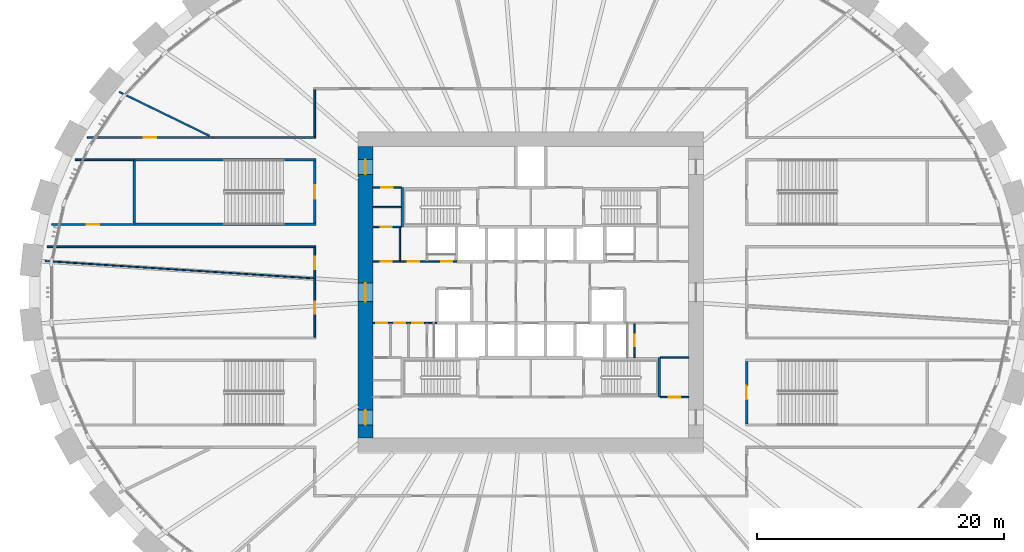
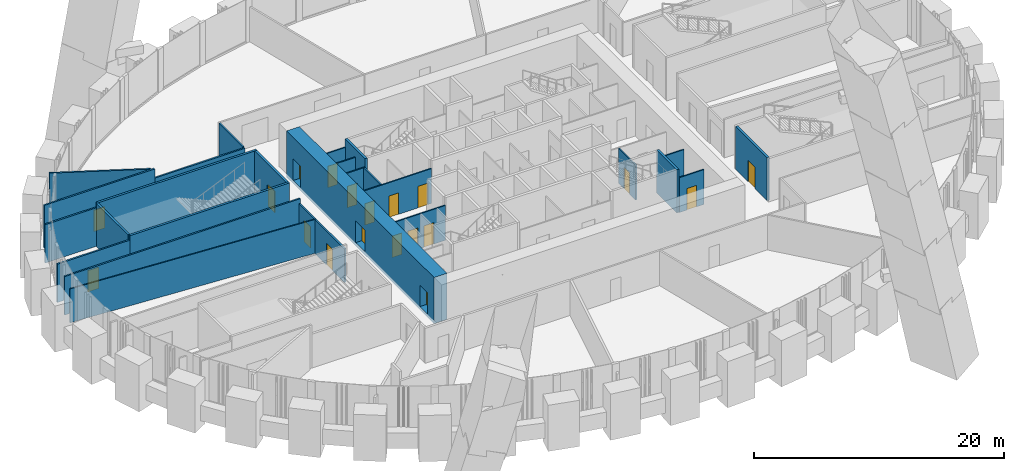
# One storey, part 9 of 23: 27 walls, 19 doors, 19 openings.
"""IFC4 building model written with IfcOpenShell, lengths in metres."""

from ifc_helpers import new_model, si_unit, direction, frame, frame_2d, origin, place, context, subcontext, project, spatial, rectangle, extrude, source, transform, mapped, material, layer, layer_set, type_object, element, fill, save


model = new_model("IFC4")

# Units and contexts
model_context = context("Model", 3, precision=1e-05, world=origin(), true_north=direction((0.0, 1.0)))
body_context = subcontext(model_context, "Body", "Model", "MODEL_VIEW")
ifc_project = project(units=[si_unit("LENGTHUNIT", "METRE"), si_unit("AREAUNIT", "SQUARE_METRE"), si_unit("VOLUMEUNIT", "CUBIC_METRE"), si_unit("PLANEANGLEUNIT", "RADIAN"), si_unit("MASSUNIT", "GRAM", prefix="KILO")], contexts=[model_context])

# Site, building, storey
site_placement = place(None, origin())
site = spatial("IfcSite", under=ifc_project, at=site_placement, CompositionType="ELEMENT")
building_placement = place(site_placement, origin())
building = spatial("IfcBuilding", under=site, at=building_placement, Name="Embergate Tower", CompositionType="ELEMENT")
storey_placement = place(building_placement, frame((0.0, 0.0, 29.0)))
storey = spatial("IfcBuildingStorey", under=building, at=storey_placement, Name="L03", CompositionType="ELEMENT", Elevation=29.0)

# Wall, openings, doors
ifc_material_1 = material(Name="Concrete C80", Category="concrete")
ifc_layer_1 = layer(ifc_material_1, 1.199951171875)
ifc_layer_set_1 = layer_set([ifc_layer_1], Name="Concrete C80")
wall_type_1 = type_object("IfcWallType", Name="Core outer wall C80 1200", PredefinedType="SHEAR", material=ifc_layer_set_1)
shared_shape_1 = source(origin(), body_context, "Body", "SweptSolid", [
    extrude(rectangle(XDim=23.60009765625, YDim=1.199951171875, at=frame_2d((11.800048828125, 0.0))), origin(), (0.0, 0.0, 1.0), 4.5),
])
wall_1_placement = place(storey_placement, frame((-13.39990234375, -11.800048828125, -0.300048828125), z_axis=(0.0, 0.0, 1.0), x_axis=(0.0, 1.0, 0.0)))
wall_1 = element("IfcWall", 1, at=wall_1_placement, inside=storey, type_object=wall_type_1, Name="CW-L03-W", PredefinedType="SHEAR", context=body_context, shape_type="MappedRepresentation", body=[
    mapped(shared_shape_1, transform((0.0, 0.0, 0.0))),
])
shared_shape_2 = source(origin(), body_context, "Body", "SweptSolid", [
    extrude(rectangle(XDim=1.199951171875, YDim=2.10009765625, at=frame_2d((0.60009765625, 1.050048828125))), frame((0.0, 0.60986328125, 0.0), z_axis=(0.0, -1.0, 0.0), x_axis=(1.0, 0.0, 0.0)), (0.0, 0.0, 1.0), 1.219970703125),
])
opening_1_placement = place(wall_1_placement, frame((21.35009765625, 0.0, 0.300048828125)))
opening_1 = element("IfcOpeningElement", 2, at=opening_1_placement, cuts=wall_1, Name="Opening IF-1", PredefinedType="OPENING", context=body_context, shape_type="MappedRepresentation", body=[
    mapped(shared_shape_2, transform((0.0, 0.0, 0.0))),
])
opening_2_placement = place(wall_1_placement, frame((1.050048828125, 0.0, 0.300048828125)))
opening_2 = element("IfcOpeningElement", 3, at=opening_2_placement, cuts=wall_1, Name="Opening IF-1", PredefinedType="OPENING", context=body_context, shape_type="MappedRepresentation", body=[
    mapped(shared_shape_2, transform((0.0, 0.0, 0.0))),
])
shared_shape_3 = source(origin(), body_context, "Body", "SweptSolid", [
    extrude(rectangle(XDim=1.5, YDim=2.10009765625, at=frame_2d((0.75, 1.050048828125))), frame((0.0, 0.60986328125, 0.0), z_axis=(0.0, -1.0, 0.0), x_axis=(1.0, 0.0, 0.0)), (0.0, 0.0, 1.0), 1.219970703125),
])
opening_3_placement = place(wall_1_placement, frame((11.050048828125, 0.0, 0.300048828125)))
opening_3 = element("IfcOpeningElement", 4, at=opening_3_placement, cuts=wall_1, Name="Opening IF-3", PredefinedType="OPENING", context=body_context, shape_type="MappedRepresentation", body=[
    mapped(shared_shape_3, transform((0.0, 0.0, 0.0))),
])
ifc_material_2 = material(Name="Escape fire door 1200")
door_type_1 = type_object("IfcDoorType", Name="Escape fire door 1200", OperationType="SINGLE_SWING_LEFT", PredefinedType="DOOR", material=ifc_material_2)
shared_shape_4 = source(origin(), body_context, "Body", "SweptSolid", [
    extrude(rectangle(XDim=1.199951171875, YDim=2.10009765625, at=frame_2d((0.60009765625, 1.050048828125))), frame((0.0, 0.02490234375, 0.0), z_axis=(0.0, -1.0, 0.0), x_axis=(1.0, 0.0, 0.0)), (0.0, 0.0, 1.0), 0.050048828125),
])
door_1_placement = place(opening_1_placement, origin())
door_1 = element("IfcDoor", 5, at=door_1_placement, inside=storey, type_object=door_type_1, Name="IF-1 door", OperationType="SINGLE_SWING_RIGHT", OverallHeight=2.10009765625, OverallWidth=1.199951171875, PredefinedType="DOOR", context=body_context, shape_type="MappedRepresentation", body=[
    mapped(shared_shape_4, transform((0.0, 0.0, 0.0))),
])
fill(opening_1, door_1)
door_2_placement = place(opening_2_placement, origin())
door_2 = element("IfcDoor", 6, at=door_2_placement, inside=storey, type_object=door_type_1, Name="IF-1 door", OperationType="SINGLE_SWING_LEFT", OverallHeight=2.10009765625, OverallWidth=1.199951171875, PredefinedType="DOOR", context=body_context, shape_type="MappedRepresentation", body=[
    mapped(shared_shape_4, transform((0.0, 0.0, 0.0))),
])
fill(opening_2, door_2)
ifc_material_3 = material(Name="Lobby fire door pair 1500")
door_type_2 = type_object("IfcDoorType", Name="Lobby fire door pair 1500", OperationType="DOUBLE_DOOR_SINGLE_SWING", PredefinedType="DOOR", material=ifc_material_3)
shared_shape_5 = source(origin(), body_context, "Body", "SweptSolid", [
    extrude(rectangle(XDim=1.5, YDim=2.10009765625, at=frame_2d((0.75, 1.050048828125))), frame((0.0, 0.02490234375, 0.0), z_axis=(0.0, -1.0, 0.0), x_axis=(1.0, 0.0, 0.0)), (0.0, 0.0, 1.0), 0.050048828125),
])
door_3_placement = place(opening_3_placement, origin())
door_3 = element("IfcDoor", 7, at=door_3_placement, inside=storey, type_object=door_type_2, Name="IF-3 door", OperationType="DOUBLE_DOOR_SINGLE_SWING", OverallHeight=2.10009765625, OverallWidth=1.5, PredefinedType="DOOR", context=body_context, shape_type="MappedRepresentation", body=[
    mapped(shared_shape_5, transform((0.0, 0.0, 0.0))),
])
fill(opening_3, door_3)

ifc_material_4 = material(Name="Core partition blockwork 120")
ifc_layer_2 = layer(ifc_material_4, 0.1201171875)
ifc_layer_set_2 = layer_set([ifc_layer_2], Name="Core partition blockwork 120")
wall_type_2 = type_object("IfcWallType", Name="Core partition blockwork 120", PredefinedType="PARTITIONING", material=ifc_layer_set_2)
shared_shape_6 = source(origin(), body_context, "Body", "SweptSolid", [
    extrude(rectangle(XDim=6.800048828125, YDim=0.1201171875, at=frame_2d((3.39990234375, 0.0))), origin(), (0.0, 0.0, 1.0), 3.39990234375),
])
wall_2_placement = place(storey_placement, frame((-12.800048828125, 2.5, 0.0), z_axis=(0.0, 0.0, 1.0), x_axis=(1.0, 0.0, 0.0)))
wall_2 = element("IfcWall", 8, at=wall_2_placement, inside=storey, type_object=wall_type_2, Name="IP-3 wall", PredefinedType="PARTITIONING", context=body_context, shape_type="MappedRepresentation", body=[
    mapped(shared_shape_6, transform((0.0, 0.0, 0.0))),
])
shared_shape_7 = source(origin(), body_context, "Body", "SweptSolid", [
    extrude(rectangle(XDim=0.89990234375, YDim=2.10009765625, at=frame_2d((0.449951171875, 1.050048828125))), frame((0.0, 0.070068359375, 0.0), z_axis=(0.0, -1.0, 0.0), x_axis=(1.0, 0.0, 0.0)), (0.0, 0.0, 1.0), 0.14013671875),
])
opening_4_placement = place(wall_2_placement, frame((5.550048828125, 0.0, 0.0)))
opening_4 = element("IfcOpeningElement", 9, at=opening_4_placement, cuts=wall_2, Name="Opening ID-1", PredefinedType="OPENING", context=body_context, shape_type="MappedRepresentation", body=[
    mapped(shared_shape_7, transform((0.0, 0.0, 0.0))),
])
opening_5_placement = place(wall_2_placement, frame((0.64990234375, 0.0, 0.0)))
opening_5 = element("IfcOpeningElement", 10, at=opening_5_placement, cuts=wall_2, Name="Opening ID-1", PredefinedType="OPENING", context=body_context, shape_type="MappedRepresentation", body=[
    mapped(shared_shape_7, transform((0.0, 0.0, 0.0))),
])
opening_6_placement = place(wall_2_placement, frame((2.85009765625, 0.0, 0.0)))
opening_6 = element("IfcOpeningElement", 11, at=opening_6_placement, cuts=wall_2, Name="Opening ID-1", PredefinedType="OPENING", context=body_context, shape_type="MappedRepresentation", body=[
    mapped(shared_shape_7, transform((0.0, 0.0, 0.0))),
])
ifc_material_5 = material(Name="Interior door 900")
door_type_3 = type_object("IfcDoorType", Name="Interior door 900", OperationType="SINGLE_SWING_LEFT", PredefinedType="DOOR", material=ifc_material_5)
shared_shape_8 = source(origin(), body_context, "Body", "SweptSolid", [
    extrude(rectangle(XDim=0.89990234375, YDim=2.10009765625, at=frame_2d((0.449951171875, 1.050048828125))), frame((0.0, 0.02490234375, 0.0), z_axis=(0.0, -1.0, 0.0), x_axis=(1.0, 0.0, 0.0)), (0.0, 0.0, 1.0), 0.050048828125),
])
door_4_placement = place(opening_4_placement, origin())
door_4 = element("IfcDoor", 12, at=door_4_placement, inside=storey, type_object=door_type_3, Name="ID-1 door", OperationType="SINGLE_SWING_LEFT", OverallHeight=2.10009765625, OverallWidth=0.89990234375, PredefinedType="DOOR", context=body_context, shape_type="MappedRepresentation", body=[
    mapped(shared_shape_8, transform((0.0, 0.0, 0.0))),
])
fill(opening_4, door_4)
door_5_placement = place(opening_5_placement, origin())
door_5 = element("IfcDoor", 13, at=door_5_placement, inside=storey, type_object=door_type_3, Name="ID-1 door", OperationType="SINGLE_SWING_RIGHT", OverallHeight=2.10009765625, OverallWidth=0.89990234375, PredefinedType="DOOR", context=body_context, shape_type="MappedRepresentation", body=[
    mapped(shared_shape_8, transform((0.0, 0.0, 0.0))),
])
fill(opening_5, door_5)
door_6_placement = place(opening_6_placement, origin())
door_6 = element("IfcDoor", 14, at=door_6_placement, inside=storey, type_object=door_type_3, Name="ID-1 door", OperationType="SINGLE_SWING_LEFT", OverallHeight=2.10009765625, OverallWidth=0.89990234375, PredefinedType="DOOR", context=body_context, shape_type="MappedRepresentation", body=[
    mapped(shared_shape_8, transform((0.0, 0.0, 0.0))),
])
fill(opening_6, door_6)

# Wall, opening, door
shared_shape_9 = source(origin(), body_context, "Body", "SweptSolid", [
    extrude(rectangle(XDim=2.739990234375, YDim=0.1201171875, at=frame_2d((1.3701171875, 0.0))), origin(), (0.0, 0.0, 1.0), 3.39990234375),
])
wall_3_placement = place(storey_placement, frame((8.39990234375, -5.300048828125, 0.0), z_axis=(0.0, 0.0, 1.0), x_axis=(0.0, 1.0, 0.0)))
wall_3 = element("IfcWall", 15, at=wall_3_placement, inside=storey, type_object=wall_type_2, Name="IP-3 wall", PredefinedType="PARTITIONING", context=body_context, shape_type="MappedRepresentation", body=[
    mapped(shared_shape_9, transform((0.0, 0.0, 0.0))),
])
opening_7_placement = place(wall_3_placement, frame((0.949951171875, 0.0, 0.0)))
opening_7 = element("IfcOpeningElement", 16, at=opening_7_placement, cuts=wall_3, Name="Opening ID-1", PredefinedType="OPENING", context=body_context, shape_type="MappedRepresentation", body=[
    mapped(shared_shape_7, transform((0.0, 0.0, 0.0))),
])
door_7_placement = place(opening_7_placement, origin())
door_7 = element("IfcDoor", 17, at=door_7_placement, inside=storey, type_object=door_type_3, Name="ID-1 door", OperationType="SINGLE_SWING_RIGHT", OverallHeight=2.10009765625, OverallWidth=0.89990234375, PredefinedType="DOOR", context=body_context, shape_type="MappedRepresentation", body=[
    mapped(shared_shape_8, transform((0.0, 0.0, 0.0))),
])
fill(opening_7, door_7)

# Wall, openings, doors
shared_shape_10 = source(origin(), body_context, "Body", "SweptSolid", [
    extrude(rectangle(XDim=5.199951171875, YDim=0.1201171875, at=frame_2d((2.60009765625, 0.0))), origin(), (0.0, 0.0, 1.0), 3.39990234375),
])
wall_4_placement = place(storey_placement, frame((-7.60009765625, -2.5, 0.0), z_axis=(0.0, 0.0, 1.0), x_axis=(-1.0, 0.0, 0.0)))
wall_4 = element("IfcWall", 18, at=wall_4_placement, inside=storey, type_object=wall_type_2, Name="IP-3 wall", PredefinedType="PARTITIONING", context=body_context, shape_type="MappedRepresentation", body=[
    mapped(shared_shape_10, transform((0.0, 0.0, 0.0))),
])
opening_8_placement = place(wall_4_placement, frame((4.02392578125, 0.0, 0.0)))
opening_8 = element("IfcOpeningElement", 19, at=opening_8_placement, cuts=wall_4, Name="Opening ID-1", PredefinedType="OPENING", context=body_context, shape_type="MappedRepresentation", body=[
    mapped(shared_shape_7, transform((0.0, 0.0, 0.0))),
])
opening_9_placement = place(wall_4_placement, frame((2.572021484375, 0.0, 0.0)))
opening_9 = element("IfcOpeningElement", 20, at=opening_9_placement, cuts=wall_4, Name="Opening ID-1", PredefinedType="OPENING", context=body_context, shape_type="MappedRepresentation", body=[
    mapped(shared_shape_7, transform((0.0, 0.0, 0.0))),
])
opening_10_placement = place(wall_4_placement, frame((1.097900390625, 0.0, 0.0)))
opening_10 = element("IfcOpeningElement", 21, at=opening_10_placement, cuts=wall_4, Name="Opening ID-1", PredefinedType="OPENING", context=body_context, shape_type="MappedRepresentation", body=[
    mapped(shared_shape_7, transform((0.0, 0.0, 0.0))),
])
door_8_placement = place(opening_8_placement, origin())
door_8 = element("IfcDoor", 22, at=door_8_placement, inside=storey, type_object=door_type_3, Name="ID-1 door", OperationType="SINGLE_SWING_LEFT", OverallHeight=2.10009765625, OverallWidth=0.89990234375, PredefinedType="DOOR", context=body_context, shape_type="MappedRepresentation", body=[
    mapped(shared_shape_8, transform((0.0, 0.0, 0.0))),
])
fill(opening_8, door_8)
door_9_placement = place(opening_9_placement, origin())
door_9 = element("IfcDoor", 23, at=door_9_placement, inside=storey, type_object=door_type_3, Name="ID-1 door", OperationType="SINGLE_SWING_RIGHT", OverallHeight=2.10009765625, OverallWidth=0.89990234375, PredefinedType="DOOR", context=body_context, shape_type="MappedRepresentation", body=[
    mapped(shared_shape_8, transform((0.0, 0.0, 0.0))),
])
fill(opening_9, door_9)
door_10_placement = place(opening_10_placement, origin())
door_10 = element("IfcDoor", 24, at=door_10_placement, inside=storey, type_object=door_type_3, Name="ID-1 door", OperationType="SINGLE_SWING_RIGHT", OverallHeight=2.10009765625, OverallWidth=0.89990234375, PredefinedType="DOOR", context=body_context, shape_type="MappedRepresentation", body=[
    mapped(shared_shape_8, transform((0.0, 0.0, 0.0))),
])
fill(opening_10, door_10)

# Walls
ifc_material_6 = material(Name="Concrete C50", Category="concrete")
ifc_layer_3 = layer(ifc_material_6, 0.199951171875)
ifc_layer_set_3 = layer_set([ifc_layer_3], Name="Concrete C50")
wall_type_3 = type_object("IfcWallType", Name="Stair enclosure wall reinforced concrete 250", PredefinedType="SHEAR", material=ifc_layer_set_3)
shared_shape_11 = source(origin(), body_context, "Body", "SweptSolid", [
    extrude(rectangle(XDim=3.199951171875, YDim=0.199951171875, at=frame_2d((1.60009765625, 0.0))), origin(), (0.0, 0.0, 1.0), 4.199951171875),
])
for number, where, z_axis, x_axis, name in (
    (25, (-10.39990234375, 8.5, 0.0), (0.0, 0.0, 1.0), (0.0, -1.0, 0.0), "SE-1 wall"),
    (26, (10.39990234375, -8.5, 0.0), (0.0, 0.0, 1.0), (0.0, 1.0, 0.0), "SE-1 wall"),
):
    element("IfcWall", number, at=place(storey_placement, frame(where, z_axis=z_axis, x_axis=x_axis)), inside=storey, type_object=wall_type_3, Name=name, PredefinedType="SHEAR", context=body_context, shape_type="MappedRepresentation", body=[
        mapped(shared_shape_11, transform((0.0, 0.0, 0.0))),
    ])

# Wall, opening, door
shared_shape_12 = source(origin(), body_context, "Body", "SweptSolid", [
    extrude(rectangle(XDim=2.300048828125, YDim=0.1201171875, at=frame_2d((1.14990234375, 0.0))), origin(), (0.0, 0.0, 1.0), 3.39990234375),
])
wall_5_placement = place(storey_placement, frame((-12.800048828125, 8.5, 0.0), z_axis=(0.0, 0.0, 1.0), x_axis=(1.0, 0.0, 0.0)))
wall_5 = element("IfcWall", 27, at=wall_5_placement, inside=storey, type_object=wall_type_2, Name="IP-3 wall", PredefinedType="PARTITIONING", context=body_context, shape_type="MappedRepresentation", body=[
    mapped(shared_shape_12, transform((0.0, 0.0, 0.0))),
])
opening_11_placement = place(wall_5_placement, frame((0.699951171875, 0.0, 0.0)))
opening_11 = element("IfcOpeningElement", 28, at=opening_11_placement, cuts=wall_5, Name="Opening ID-1", PredefinedType="OPENING", context=body_context, shape_type="MappedRepresentation", body=[
    mapped(shared_shape_7, transform((0.0, 0.0, 0.0))),
])
door_11_placement = place(opening_11_placement, origin())
door_11 = element("IfcDoor", 29, at=door_11_placement, inside=storey, type_object=door_type_3, Name="ID-1 door", OperationType="SINGLE_SWING_RIGHT", OverallHeight=2.10009765625, OverallWidth=0.89990234375, PredefinedType="DOOR", context=body_context, shape_type="MappedRepresentation", body=[
    mapped(shared_shape_8, transform((0.0, 0.0, 0.0))),
])
fill(opening_11, door_11)

wall_6_placement = place(storey_placement, frame((12.800048828125, -8.5, 0.0), z_axis=(0.0, 0.0, 1.0), x_axis=(-1.0, 0.0, 0.0)))
wall_6 = element("IfcWall", 30, at=wall_6_placement, inside=storey, type_object=wall_type_2, Name="IP-3 wall", PredefinedType="PARTITIONING", context=body_context, shape_type="MappedRepresentation", body=[
    mapped(shared_shape_12, transform((0.0, 0.0, 0.0))),
])
opening_12_placement = place(wall_6_placement, frame((0.699951171875, 0.0, 0.0)))
opening_12 = element("IfcOpeningElement", 31, at=opening_12_placement, cuts=wall_6, Name="Opening ID-1", PredefinedType="OPENING", context=body_context, shape_type="MappedRepresentation", body=[
    mapped(shared_shape_7, transform((0.0, 0.0, 0.0))),
])
door_12_placement = place(opening_12_placement, origin())
door_12 = element("IfcDoor", 32, at=door_12_placement, inside=storey, type_object=door_type_3, Name="ID-1 door", OperationType="SINGLE_SWING_RIGHT", OverallHeight=2.10009765625, OverallWidth=0.89990234375, PredefinedType="DOOR", context=body_context, shape_type="MappedRepresentation", body=[
    mapped(shared_shape_8, transform((0.0, 0.0, 0.0))),
])
fill(opening_12, door_12)

wall_7_placement = place(storey_placement, frame((-10.5, 5.300048828125, 0.0), z_axis=(0.0, 0.0, 1.0), x_axis=(-1.0, 0.0, 0.0)))
wall_7 = element("IfcWall", 33, at=wall_7_placement, inside=storey, type_object=wall_type_2, Name="IP-3 wall", PredefinedType="PARTITIONING", context=body_context, shape_type="MappedRepresentation", body=[
    mapped(shared_shape_12, transform((0.0, 0.0, 0.0))),
])
opening_13_placement = place(wall_7_placement, frame((0.75, 0.0, 0.0)))
opening_13 = element("IfcOpeningElement", 34, at=opening_13_placement, cuts=wall_7, Name="Opening ID-1", PredefinedType="OPENING", context=body_context, shape_type="MappedRepresentation", body=[
    mapped(shared_shape_7, transform((0.0, 0.0, 0.0))),
])
door_13_placement = place(opening_13_placement, origin())
door_13 = element("IfcDoor", 35, at=door_13_placement, inside=storey, type_object=door_type_3, Name="ID-1 door", OperationType="SINGLE_SWING_RIGHT", OverallHeight=2.10009765625, OverallWidth=0.89990234375, PredefinedType="DOOR", context=body_context, shape_type="MappedRepresentation", body=[
    mapped(shared_shape_8, transform((0.0, 0.0, 0.0))),
])
fill(opening_13, door_13)

# Walls
for number, where, z_axis, x_axis, name in (
    (36, (10.5, -5.300048828125, 0.0), (0.0, 0.0, 1.0), (1.0, 0.0, 0.0), "IP-3 wall"),
    (37, (-10.5, 6.89990234375, 0.0), (0.0, 0.0, 1.0), (-1.0, 0.0, 0.0), "IP-3 wall"),
):
    element("IfcWall", number, at=place(storey_placement, frame(where, z_axis=z_axis, x_axis=x_axis)), inside=storey, type_object=wall_type_2, Name=name, PredefinedType="PARTITIONING", context=body_context, shape_type="MappedRepresentation", body=[
        mapped(shared_shape_12, transform((0.0, 0.0, 0.0))),
    ])
shared_shape_13 = source(origin(), body_context, "Body", "SweptSolid", [
    extrude(rectangle(XDim=2.679931640625, YDim=0.1201171875, at=frame_2d((1.33984375, 0.0))), origin(), (0.0, 0.0, 1.0), 3.39990234375),
])
wall_8_placement = place(storey_placement, frame((-10.60009765625, 2.56005859375, 0.0), z_axis=(0.0, 0.0, 1.0), x_axis=(0.0, 1.0, 0.0)))
element("IfcWall", 38, at=wall_8_placement, inside=storey, type_object=wall_type_2, Name="IP-3 wall", PredefinedType="PARTITIONING", context=body_context, shape_type="MappedRepresentation", body=[
    mapped(shared_shape_13, transform((0.0, 0.0, 0.0))),
])
ifc_material_7 = material(Name="Plasterboard on steel stud", Category="steel")
ifc_layer_4 = layer(ifc_material_7, 0.14990234375)
ifc_layer_set_4 = layer_set([ifc_layer_4], Name="Plasterboard on steel stud")
wall_type_4 = type_object("IfcWallType", Name="Partition wall 150 board", PredefinedType="PARTITIONING", material=ifc_layer_set_4)
shared_shape_14 = source(origin(), body_context, "Body", "SweptSolid", [
    extrude(rectangle(XDim=21.764892578125, YDim=0.14990234375, at=frame_2d((10.88232421875, 0.0))), origin(), (0.0, 0.0, 1.0), 3.75),
])
wall_9_placement = place(storey_placement, frame((-39.18994140625, 3.699951171875, 0.0), z_axis=(0.0, 0.0, 1.0), x_axis=(1.0, 0.0, 0.0)))
element("IfcWall", 39, at=wall_9_placement, inside=storey, type_object=wall_type_4, Name="Partition 001", PredefinedType="PARTITIONING", context=body_context, shape_type="MappedRepresentation", body=[
    mapped(shared_shape_14, transform((0.0, 0.0, 0.0))),
])

# Wall, opening, door
shared_shape_15 = source(origin(), body_context, "Body", "SweptSolid", [
    extrude(rectangle(XDim=6.7119140625, YDim=0.14990234375, at=frame_2d((3.35595703125, 0.0))), origin(), (0.0, 0.0, 1.0), 3.75),
])
wall_10_placement = place(storey_placement, frame((-32.1201171875, 5.5, 0.0), z_axis=(0.0, 0.0, 1.0), x_axis=(-1.0, 0.0, 0.0)))
wall_10 = element("IfcWall", 40, at=wall_10_placement, inside=storey, type_object=wall_type_4, Name="Partition 008", PredefinedType="PARTITIONING", context=body_context, shape_type="MappedRepresentation", body=[
    mapped(shared_shape_15, transform((0.0, 0.0, 0.0))),
])
shared_shape_16 = source(origin(), body_context, "Body", "SweptSolid", [
    extrude(rectangle(XDim=1.0, YDim=2.10009765625, at=frame_2d((0.5, 1.050048828125))), frame((0.0, 0.0849609375, 0.0), z_axis=(0.0, -1.0, 0.0), x_axis=(1.0, 0.0, 0.0)), (0.0, 0.0, 1.0), 0.169921875),
])
opening_14_placement = place(wall_10_placement, frame((2.85595703125, 0.0, 0.0)))
opening_14 = element("IfcOpeningElement", 41, at=opening_14_placement, cuts=wall_10, Name="Opening DS-066", PredefinedType="OPENING", context=body_context, shape_type="MappedRepresentation", body=[
    mapped(shared_shape_16, transform((0.0, 0.0, 0.0))),
])
ifc_material_8 = material(Name="Timber door leaf, steel frame", Category="steel")
door_type_4 = type_object("IfcDoorType", Name="Single door 1000x2100", OperationType="SINGLE_SWING_LEFT", PredefinedType="DOOR", material=ifc_material_8)
shared_shape_17 = source(origin(), body_context, "Body", "SweptSolid", [
    extrude(rectangle(XDim=1.0, YDim=2.10009765625, at=frame_2d((0.5, 1.050048828125))), frame((0.0, 0.02490234375, 0.0), z_axis=(0.0, -1.0, 0.0), x_axis=(1.0, 0.0, 0.0)), (0.0, 0.0, 1.0), 0.050048828125),
])
door_14_placement = place(opening_14_placement, origin())
door_14 = element("IfcDoor", 42, at=door_14_placement, inside=storey, type_object=door_type_4, Name="Door to Meeting room", OperationType="SINGLE_SWING_LEFT", OverallHeight=2.10009765625, OverallWidth=1.0, PredefinedType="DOOR", context=body_context, shape_type="MappedRepresentation", body=[
    mapped(shared_shape_17, transform((0.0, 0.0, 0.0))),
])
fill(opening_14, door_14)

# Wall
shared_shape_18 = source(origin(), body_context, "Body", "SweptSolid", [
    extrude(rectangle(XDim=4.796875, YDim=0.14990234375, at=frame_2d((2.3984375, 0.0))), origin(), (0.0, 0.0, 1.0), 3.75),
])
wall_11_placement = place(storey_placement, frame((-36.9169921875, 10.75, 0.0), z_axis=(0.0, 0.0, 1.0), x_axis=(1.0, 0.0, 0.0)))
element("IfcWall", 43, at=wall_11_placement, inside=storey, type_object=wall_type_4, Name="Partition 003", PredefinedType="PARTITIONING", context=body_context, shape_type="MappedRepresentation", body=[
    mapped(shared_shape_18, transform((0.0, 0.0, 0.0))),
])

# Wall, opening, door
shared_shape_19 = source(origin(), body_context, "Body", "SweptSolid", [
    extrude(rectangle(XDim=10.169921875, YDim=0.14990234375, at=frame_2d((5.0849609375, 0.0))), origin(), (0.0, 0.0, 1.0), 4.199951171875),
])
wall_12_placement = place(storey_placement, frame((-25.76611328125, 12.550048828125, 0.0), z_axis=(0.0, 0.0, 1.0), x_axis=(-1.0, 0.0, 0.0)))
wall_12 = element("IfcWall", 44, at=wall_12_placement, inside=storey, type_object=wall_type_4, Name="Partition 013", PredefinedType="PARTITIONING", context=body_context, shape_type="MappedRepresentation", body=[
    mapped(shared_shape_19, transform((0.0, 0.0, 0.0))),
])
opening_15_placement = place(wall_12_placement, frame((4.5849609375, 0.0, 0.0)))
opening_15 = element("IfcOpeningElement", 45, at=opening_15_placement, cuts=wall_12, Name="Opening DS-065", PredefinedType="OPENING", context=body_context, shape_type="MappedRepresentation", body=[
    mapped(shared_shape_16, transform((0.0, 0.0, 0.0))),
])
door_15_placement = place(opening_15_placement, origin())
door_15 = element("IfcDoor", 46, at=door_15_placement, inside=storey, type_object=door_type_4, Name="Door to Meeting room", OperationType="SINGLE_SWING_LEFT", OverallHeight=2.10009765625, OverallWidth=1.0, PredefinedType="DOOR", context=body_context, shape_type="MappedRepresentation", body=[
    mapped(shared_shape_17, transform((0.0, 0.0, 0.0))),
])
fill(opening_15, door_15)

# Walls
ifc_material_9 = material(Name="Concrete C40", Category="concrete")
ifc_layer_5 = layer(ifc_material_9, 0.199951171875)
ifc_layer_set_5 = layer_set([ifc_layer_5], Name="Concrete C40")
wall_type_5 = type_object("IfcWallType", Name="Stair enclosure wall RC 200", PredefinedType="STANDARD", material=ifc_layer_set_5)
shared_shape_20 = source(origin(), body_context, "Body", "SweptSolid", [
    extrude(rectangle(XDim=14.72021484375, YDim=0.199951171875, at=frame_2d((7.360107421875, 0.0))), origin(), (0.0, 0.0, 1.0), 4.199951171875),
])
for number, where, z_axis, x_axis, name in (
    (47, (-32.1201171875, 5.5, 0.0), (0.0, 0.0, 1.0), (1.0, 0.0, 0.0), "Stair wall 009"),
    (48, (-17.39990234375, 10.75, 0.0), (0.0, 0.0, 1.0), (-1.0, 0.0, 0.0), "Stair wall 027"),
):
    element("IfcWall", number, at=place(storey_placement, frame(where, z_axis=z_axis, x_axis=x_axis)), inside=storey, type_object=wall_type_5, Name=name, PredefinedType="STANDARD", context=body_context, shape_type="MappedRepresentation", body=[
        mapped(shared_shape_20, transform((0.0, 0.0, 0.0))),
    ])
shared_shape_21 = source(origin(), body_context, "Body", "SweptSolid", [
    extrude(rectangle(XDim=5.0498046875, YDim=0.199951171875, at=frame_2d((2.52490234375, 0.0))), origin(), (0.0, 0.0, 1.0), 4.199951171875),
])
wall_13_placement = place(storey_placement, frame((-32.1201171875, 10.64990234375, 0.0), z_axis=(0.0, 0.0, 1.0), x_axis=(0.0, -1.0, 0.0)))
element("IfcWall", 49, at=wall_13_placement, inside=storey, type_object=wall_type_5, Name="Stair wall 010", PredefinedType="STANDARD", context=body_context, shape_type="MappedRepresentation", body=[
    mapped(shared_shape_21, transform((0.0, 0.0, 0.0))),
])

# Wall, opening, door
wall_14_placement = place(storey_placement, frame((-17.5, 5.60009765625, 0.0), z_axis=(0.0, 0.0, 1.0), x_axis=(0.0, 1.0, 0.0)))
wall_14 = element("IfcWall", 50, at=wall_14_placement, inside=storey, type_object=wall_type_5, Name="Stair wall 026", PredefinedType="STANDARD", context=body_context, shape_type="MappedRepresentation", body=[
    mapped(shared_shape_21, transform((0.0, 0.0, 0.0))),
])
shared_shape_22 = source(origin(), body_context, "Body", "SweptSolid", [
    extrude(rectangle(XDim=1.10009765625, YDim=2.10009765625, at=frame_2d((0.550048828125, 1.050048828125))), frame((0.0, 0.10986328125, 0.0), z_axis=(0.0, -1.0, 0.0), x_axis=(1.0, 0.0, 0.0)), (0.0, 0.0, 1.0), 0.219970703125),
])
opening_16_placement = place(wall_14_placement, frame((1.97509765625, 0.0, 0.0)))
opening_16 = element("IfcOpeningElement", 51, at=opening_16_placement, cuts=wall_14, Name="Opening DS-084", PredefinedType="OPENING", context=body_context, shape_type="MappedRepresentation", body=[
    mapped(shared_shape_22, transform((0.0, 0.0, 0.0))),
])
ifc_material_10 = material(Name="Steel fire door leaf", Category="steel")
door_type_5 = type_object("IfcDoorType", Name="Fire door class B 1100x2100", OperationType="SINGLE_SWING_LEFT", PredefinedType="DOOR", material=ifc_material_10)
shared_shape_23 = source(origin(), body_context, "Body", "SweptSolid", [
    extrude(rectangle(XDim=1.10009765625, YDim=2.10009765625, at=frame_2d((0.550048828125, 1.050048828125))), frame((0.0, 0.02490234375, 0.0), z_axis=(0.0, -1.0, 0.0), x_axis=(1.0, 0.0, 0.0)), (0.0, 0.0, 1.0), 0.050048828125),
])
door_16_placement = place(opening_16_placement, origin())
door_16 = element("IfcDoor", 52, at=door_16_placement, inside=storey, type_object=door_type_5, Name="Door to Exit stair enclosure", OperationType="SINGLE_SWING_LEFT", OverallHeight=2.10009765625, OverallWidth=1.10009765625, PredefinedType="DOOR", context=body_context, shape_type="MappedRepresentation", body=[
    mapped(shared_shape_23, transform((0.0, 0.0, 0.0))),
])
fill(opening_16, door_16)

wall_15_placement = place(storey_placement, frame((17.5, -5.60009765625, 0.0), z_axis=(0.0, 0.0, 1.0), x_axis=(0.0, -1.0, 0.0)))
wall_15 = element("IfcWall", 53, at=wall_15_placement, inside=storey, type_object=wall_type_5, Name="Stair wall 047", PredefinedType="STANDARD", context=body_context, shape_type="MappedRepresentation", body=[
    mapped(shared_shape_21, transform((0.0, 0.0, 0.0))),
])
opening_17_placement = place(wall_15_placement, frame((1.97509765625, 0.0, 0.0)))
opening_17 = element("IfcOpeningElement", 54, at=opening_17_placement, cuts=wall_15, Name="Opening DS-083", PredefinedType="OPENING", context=body_context, shape_type="MappedRepresentation", body=[
    mapped(shared_shape_22, transform((0.0, 0.0, 0.0))),
])
door_17_placement = place(opening_17_placement, origin())
door_17 = element("IfcDoor", 55, at=door_17_placement, inside=storey, type_object=door_type_5, Name="Door to Exit stair enclosure", OperationType="SINGLE_SWING_LEFT", OverallHeight=2.10009765625, OverallWidth=1.10009765625, PredefinedType="DOOR", context=body_context, shape_type="MappedRepresentation", body=[
    mapped(shared_shape_23, transform((0.0, 0.0, 0.0))),
])
fill(opening_17, door_17)

# Wall
shared_shape_24 = source(origin(), body_context, "Body", "SweptSolid", [
    extrude(rectangle(XDim=8.139892578125, YDim=0.14990234375, at=frame_2d((4.06982421875, 0.0))), origin(), (0.0, 0.0, 1.0), 4.199951171875),
])
wall_16_placement = place(storey_placement, frame((-26.02197265625, 12.675048828125, 0.0), z_axis=(0.0, 0.0, 1.0), x_axis=(-0.899051328865, 0.437843245997, 0.0)))
element("IfcWall", 56, at=wall_16_placement, inside=storey, type_object=wall_type_4, Name="Partition 014", PredefinedType="PARTITIONING", context=body_context, shape_type="MappedRepresentation", body=[
    mapped(shared_shape_24, transform((0.0, 0.0, 0.0))),
])

# Wall, opening, door
shared_shape_25 = source(origin(), body_context, "Body", "SweptSolid", [
    extrude(rectangle(XDim=4.751953125, YDim=0.14990234375, at=frame_2d((2.3759765625, 0.0))), origin(), (0.0, 0.0, 1.0), 3.300048828125),
])
wall_17_placement = place(storey_placement, frame((-17.5, -3.625, 0.0), z_axis=(0.0, 0.0, 1.0), x_axis=(0.0, 1.0, 0.0)))
wall_17 = element("IfcWall", 57, at=wall_17_placement, inside=storey, type_object=wall_type_4, Name="Partition 023", PredefinedType="PARTITIONING", context=body_context, shape_type="MappedRepresentation", body=[
    mapped(shared_shape_25, transform((0.0, 0.0, 0.0))),
])
opening_18_placement = place(wall_17_placement, frame((1.8759765625, 0.0, 0.0)))
opening_18 = element("IfcOpeningElement", 58, at=opening_18_placement, cuts=wall_17, Name="Opening DS-068", PredefinedType="OPENING", context=body_context, shape_type="MappedRepresentation", body=[
    mapped(shared_shape_16, transform((0.0, 0.0, 0.0))),
])
door_18_placement = place(opening_18_placement, origin())
door_18 = element("IfcDoor", 59, at=door_18_placement, inside=storey, type_object=door_type_4, Name="Door to Interpreters' office", OperationType="SINGLE_SWING_LEFT", OverallHeight=2.10009765625, OverallWidth=1.0, PredefinedType="DOOR", context=body_context, shape_type="MappedRepresentation", body=[
    mapped(shared_shape_17, transform((0.0, 0.0, 0.0))),
])
fill(opening_18, door_18)

# Wall
ifc_material_11 = material(Name="Acoustic folding panels")
ifc_layer_6 = layer(ifc_material_11, 0.10009765625)
ifc_layer_set_6 = layer_set([ifc_layer_6], Name="Acoustic folding panels")
wall_type_6 = type_object("IfcWallType", Name="Movable partition wall 100 acoustic", PredefinedType="MOVABLE", material=ifc_layer_set_6)
shared_shape_26 = source(origin(), body_context, "Body", "SweptSolid", [
    extrude(rectangle(XDim=21.826171875, YDim=0.10009765625, at=frame_2d((10.9130859375, 0.0))), origin(), (0.0, 0.0, 1.0), 3.300048828125),
])
wall_18_placement = place(storey_placement, frame((-17.574951171875, 1.132080078125, 0.0), z_axis=(0.0, 0.0, 1.0), x_axis=(-0.997935219385, 0.064228482091, 0.0)))
element("IfcWall", 60, at=wall_18_placement, inside=storey, type_object=wall_type_6, Name="Partition 024", PredefinedType="MOVABLE", context=body_context, shape_type="MappedRepresentation", body=[
    mapped(shared_shape_26, transform((0.0, 0.0, 0.0))),
])

# Wall, opening, door
shared_shape_27 = source(origin(), body_context, "Body", "SweptSolid", [
    extrude(rectangle(XDim=2.498046875, YDim=0.14990234375, at=frame_2d((1.2490234375, 0.0))), origin(), (0.0, 0.0, 1.0), 3.300048828125),
])
wall_19_placement = place(storey_placement, frame((-17.5, 1.126953125, 0.0), z_axis=(0.0, 0.0, 1.0), x_axis=(0.0, 1.0, 0.0)))
wall_19 = element("IfcWall", 61, at=wall_19_placement, inside=storey, type_object=wall_type_4, Name="Partition 025", PredefinedType="PARTITIONING", context=body_context, shape_type="MappedRepresentation", body=[
    mapped(shared_shape_27, transform((0.0, 0.0, 0.0))),
])
opening_19_placement = place(wall_19_placement, frame((0.7490234375, 0.0, 0.0)))
opening_19 = element("IfcOpeningElement", 62, at=opening_19_placement, cuts=wall_19, Name="Opening DS-067", PredefinedType="OPENING", context=body_context, shape_type="MappedRepresentation", body=[
    mapped(shared_shape_16, transform((0.0, 0.0, 0.0))),
])
door_19_placement = place(opening_19_placement, origin())
door_19 = element("IfcDoor", 63, at=door_19_placement, inside=storey, type_object=door_type_4, Name="Door to Meeting room", OperationType="SINGLE_SWING_LEFT", OverallHeight=2.10009765625, OverallWidth=1.0, PredefinedType="DOOR", context=body_context, shape_type="MappedRepresentation", body=[
    mapped(shared_shape_17, transform((0.0, 0.0, 0.0))),
])
fill(opening_19, door_19)

# Walls
shared_shape_28 = source(origin(), body_context, "Body", "SweptSolid", [
    extrude(rectangle(XDim=8.341064453125, YDim=0.14990234375, at=frame_2d((4.17041015625, 0.0))), origin(), (0.0, 0.0, 1.0), 3.300048828125),
])
wall_20_placement = place(storey_placement, frame((-17.425048828125, 12.550048828125, 0.0), z_axis=(0.0, 0.0, 1.0), x_axis=(-1.0, 0.0, 0.0)))
element("IfcWall", 64, at=wall_20_placement, inside=storey, type_object=wall_type_4, Name="Partition 028", PredefinedType="PARTITIONING", context=body_context, shape_type="MappedRepresentation", body=[
    mapped(shared_shape_28, transform((0.0, 0.0, 0.0))),
])
shared_shape_29 = source(origin(), body_context, "Body", "SweptSolid", [
    extrude(rectangle(XDim=3.800048828125, YDim=0.14990234375, at=frame_2d((1.89990234375, 0.0))), origin(), (0.0, 0.0, 1.0), 3.39990234375),
])
wall_21_placement = place(storey_placement, frame((-17.5, 12.625, 0.0), z_axis=(0.0, 0.0, 1.0), x_axis=(0.0, 1.0, 0.0)))
element("IfcWall", 65, at=wall_21_placement, inside=storey, type_object=wall_type_4, Name="Partition 029", PredefinedType="PARTITIONING", context=body_context, shape_type="MappedRepresentation", body=[
    mapped(shared_shape_29, transform((0.0, 0.0, 0.0))),
])

save(model, "model.ifc")
